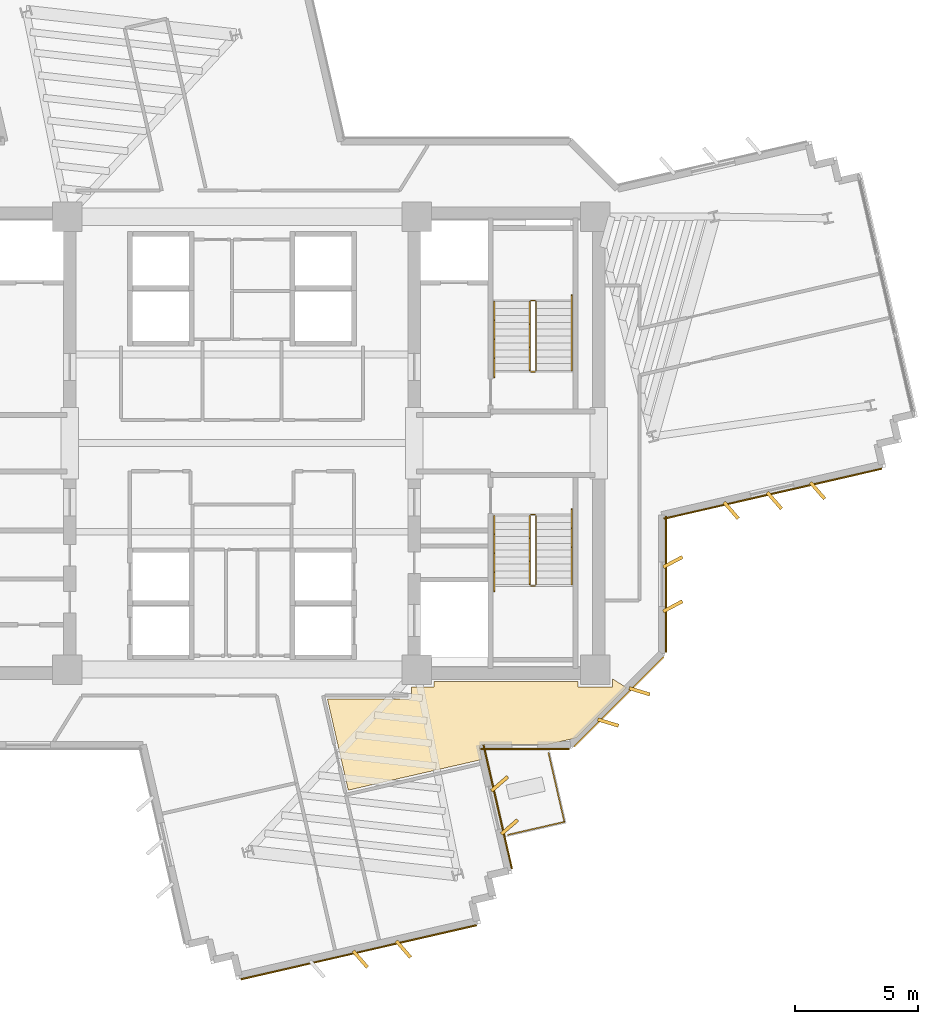
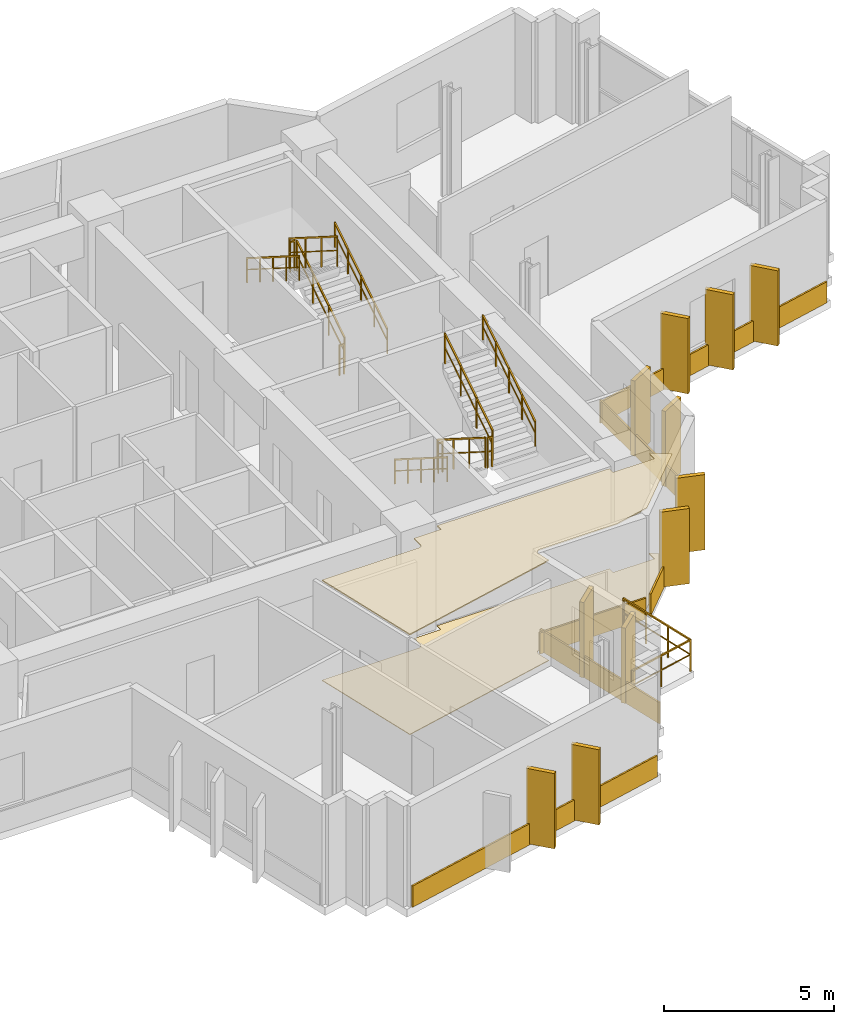
# One storey, part 12 of 13: 19 coverings, 14 railings.
"""IFC4 building model written with IfcOpenShell, lengths in metres."""

from ifc_helpers import new_model, si_unit, direction, frame, origin, origin_2d, place, context, subcontext, project, spatial, polyline, rectangle, outline, extrude, source, transform, mapped, material, layer, layer_set, type_object, element, save


model = new_model("IFC4")

# Units and contexts
model_context = context("Model", 3, precision=1e-05, world=origin(), true_north=direction((0.0, 1.0)))
body_context = subcontext(model_context, "Body", "Model", "MODEL_VIEW")
ifc_project = project(units=[si_unit("LENGTHUNIT", "METRE"), si_unit("AREAUNIT", "SQUARE_METRE"), si_unit("VOLUMEUNIT", "CUBIC_METRE"), si_unit("PLANEANGLEUNIT", "RADIAN"), si_unit("MASSUNIT", "GRAM", prefix="KILO")], contexts=[model_context])

# Site, building, storey
site_placement = place(None, origin())
site = spatial("IfcSite", under=ifc_project, at=site_placement, CompositionType="ELEMENT")
building_placement = place(site_placement, origin())
building = spatial("IfcBuilding", under=site, at=building_placement, Name="Zahravan Cultural Tower", CompositionType="ELEMENT")
storey_placement = place(building_placement, frame((0.0, 0.0, 178.5)))
storey = spatial("IfcBuildingStorey", under=building, at=storey_placement, Name="L41", CompositionType="ELEMENT", Elevation=178.5)

# Coverings
ifc_material_1 = material(Name="Acoustic mineral fibreboard")
ifc_layer_1 = layer(ifc_material_1, 0.0400390625)
ifc_layer_set_1 = layer_set([ifc_layer_1], Name="Acoustic mineral fibreboard")
covering_type_1 = type_object("IfcCoveringType", Name="COV-CEIL-AC20", PredefinedType="CEILING", material=ifc_layer_set_1)
covering_1_placement = place(storey_placement, frame((0.0, 0.0, 3.580078125)))
element("IfcCovering", 1, at=covering_1_placement, inside=storey, type_object=covering_type_1, Name="L41 Acoustic Suspended Ceiling", PredefinedType="CEILING", context=body_context, shape_type="SweptSolid", body=[
    extrude(outline(polyline([(45.760986328125, 14.147216796875), (45.6611328125, 14.583984375), (45.66552734375, 14.643798828125), (45.69384765625, 14.69873046875), (45.73193359375, 14.734375), (45.7890625, 14.75830078125), (48.432861328125, 14.760009765625), (49.601806640625, 15.028076171875), (51.634033203125, 17.060302734375), (51.050048828125, 17.43017578125), (51.050048828125, 17.10009765625), (49.64990234375, 17.10009765625), (49.64990234375, 17.320068359375), (43.800048828125, 17.320068359375), (43.800048828125, 17.10009765625), (42.889892578125, 17.10009765625), (42.8896484375, 16.716064453125), (42.853515625, 16.639404296875), (42.78173828125, 16.601318359375), (39.47314453125, 16.60009765625), (40.322265625, 12.8994140625), (45.760986328125, 14.147216796875)])), origin(), (0.0, 0.0, 1.0), 0.0400390625),
])
ifc_material_2 = material(Name="Terrazzo flooring")
ifc_layer_2 = layer(ifc_material_2, 0.02490234375)
ifc_layer_set_2 = layer_set([ifc_layer_2], Name="Terrazzo flooring")
covering_type_2 = type_object("IfcCoveringType", Name="COV-FLR-TZ25", PredefinedType="FLOORING", material=ifc_layer_set_2)
covering_2_placement = place(storey_placement, origin())
element("IfcCovering", 2, at=covering_2_placement, inside=storey, type_object=covering_type_2, Name="L41 Polished Terrazzo Flooring", PredefinedType="FLOORING", context=body_context, shape_type="SweptSolid", body=[
    extrude(outline(polyline([(45.760986328125, 14.147216796875), (45.6611328125, 14.583984375), (45.66552734375, 14.643798828125), (45.69384765625, 14.69873046875), (45.73193359375, 14.734375), (45.7890625, 14.75830078125), (48.432861328125, 14.760009765625), (49.601806640625, 15.028076171875), (51.634033203125, 17.060302734375), (51.050048828125, 17.43017578125), (51.050048828125, 17.10009765625), (49.64990234375, 17.10009765625), (49.64990234375, 17.320068359375), (43.800048828125, 17.320068359375), (43.800048828125, 17.10009765625), (42.889892578125, 17.10009765625), (42.8896484375, 16.716064453125), (42.853515625, 16.639404296875), (42.78173828125, 16.601318359375), (39.47314453125, 16.60009765625), (40.322265625, 12.8994140625), (45.760986328125, 14.147216796875)])), origin(), (0.0, 0.0, 1.0), 0.02490234375),
])

# Railings
ifc_material_3 = material(Name="Steel ASTM A572 Grade 50", Category="steel")
railing_type_1 = type_object("IfcRailingType", Name="RL-BAL-1150", PredefinedType="BALUSTRADE", material=ifc_material_3)
railing_1_placement = place(storey_placement, frame((49.102783203125, 11.610107421875, 0.0)))
element("IfcRailing", 3, at=railing_1_placement, inside=storey, type_object=railing_type_1, Name="L41 Edge Balustrade GRD-TR-L41-SE-01", PredefinedType="BALUSTRADE", context=body_context, shape_type="SweptSolid", body=[
    extrude(rectangle(XDim=0.05, YDim=0.05, at=origin_2d()), frame((0.0, 0.0, 1.125), z_axis=(-0.974688001885, -0.223569450017, 0.0), x_axis=(0.223569450017, -0.974688001885, 0.0)), (0.0, 0.0, 1.0), 2.35009765625),
    extrude(rectangle(XDim=0.032, YDim=0.032, at=origin_2d()), frame((0.0, 0.0, 0.597900390625), z_axis=(-0.974688001885, -0.223569450017, 0.0), x_axis=(0.223569450017, -0.974688001885, 0.0)), (0.0, 0.0, 1.0), 2.35009765625),
    extrude(rectangle(XDim=0.04, YDim=0.04, at=origin_2d()), origin(), (0.0, 0.0, 1.0), 1.14990234375),
    extrude(rectangle(XDim=0.04, YDim=0.04, at=origin_2d()), frame((-1.145263671875, -0.2626953125, 0.0)), (0.0, 0.0, 1.0), 1.14990234375),
    extrude(rectangle(XDim=0.04, YDim=0.04, at=origin_2d()), frame((-2.29052734375, -0.525390625, 0.0)), (0.0, 0.0, 1.0), 1.14990234375),
])
railing_2_placement = place(storey_placement, frame((48.4580078125, 14.419921875, 0.0)))
element("IfcRailing", 4, at=railing_2_placement, inside=storey, type_object=railing_type_1, Name="L41 Edge Balustrade GRD-TR-L41-SE-02", PredefinedType="BALUSTRADE", context=body_context, shape_type="SweptSolid", body=[
    extrude(rectangle(XDim=0.05, YDim=0.05, at=origin_2d()), frame((0.0, 0.0, 1.125), z_axis=(0.223659439364, -0.97466735617, 0.0), x_axis=(0.97466735617, 0.223659439364, 0.0)), (0.0, 0.0, 1.0), 2.8828125),
    extrude(rectangle(XDim=0.032, YDim=0.032, at=origin_2d()), frame((0.0, 0.0, 0.597900390625), z_axis=(0.223659439364, -0.97466735617, 0.0), x_axis=(0.97466735617, 0.223659439364, 0.0)), (0.0, 0.0, 1.0), 2.8828125),
    extrude(rectangle(XDim=0.04, YDim=0.04, at=origin_2d()), origin(), (0.0, 0.0, 1.0), 1.14990234375),
    extrude(rectangle(XDim=0.04, YDim=0.04, at=origin_2d()), frame((0.21484375, -0.9365234375, 0.0)), (0.0, 0.0, 1.0), 1.14990234375),
    extrude(rectangle(XDim=0.04, YDim=0.04, at=origin_2d()), frame((0.429931640625, -1.873291015625, 0.0)), (0.0, 0.0, 1.0), 1.14990234375),
    extrude(rectangle(XDim=0.04, YDim=0.04, at=origin_2d()), frame((0.644775390625, -2.809814453125, 0.0)), (0.0, 0.0, 1.0), 1.14990234375),
])
railing_type_2 = type_object("IfcRailingType", Name="RL-STAIR-GRD1150", PredefinedType="BALUSTRADE", material=ifc_material_3)
railing_3_placement = place(storey_placement, frame((47.949951171875, 29.949951171875, 0.17724609375)))
element("IfcRailing", 5, at=railing_3_placement, inside=storey, type_object=railing_type_2, Name="L41 ST-E1 stair guard 1", PredefinedType="BALUSTRADE", context=body_context, shape_type="SweptSolid", body=[
    extrude(rectangle(XDim=0.05, YDim=0.05, at=origin_2d()), frame((0.0, 0.0, 1.0751953125), z_axis=(0.0, 0.844908973607, 0.534910110503), x_axis=(-1.0, 0.0, 0.0)), (0.0, 0.0, 1.0), 3.31396484375),
    extrude(rectangle(XDim=0.032, YDim=0.032, at=origin_2d()), frame((0.0, 0.0, 0.572021484375), z_axis=(0.0, 0.844908973607, 0.534910110503), x_axis=(-1.0, 0.0, 0.0)), (0.0, 0.0, 1.0), 3.31396484375),
    extrude(rectangle(XDim=0.04, YDim=0.04, at=origin_2d()), origin(), (0.0, 0.0, 1.0), 1.10009765625),
    extrude(rectangle(XDim=0.04, YDim=0.04, at=origin_2d()), frame((0.0, 0.933349609375, 0.5908203125)), (0.0, 0.0, 1.0), 1.10009765625),
    extrude(rectangle(XDim=0.04, YDim=0.04, at=origin_2d()), frame((0.0, 1.86669921875, 1.181884765625)), (0.0, 0.0, 1.0), 1.10009765625),
    extrude(rectangle(XDim=0.04, YDim=0.04, at=origin_2d()), frame((0.0, 2.800048828125, 1.772705078125)), (0.0, 0.0, 1.0), 1.10009765625),
])
railing_4_placement = place(storey_placement, frame((47.89990234375, 32.800048828125, 1.949951171875)))
element("IfcRailing", 6, at=railing_4_placement, inside=storey, type_object=railing_type_2, Name="L41 ST-E1 stair guard 2", PredefinedType="BALUSTRADE", context=body_context, shape_type="SweptSolid", body=[
    extrude(rectangle(XDim=0.05, YDim=0.05, at=origin_2d()), frame((0.0, 0.0, 1.0751953125), z_axis=(-1.0, 0.0, 0.0), x_axis=(0.0, -1.0, 0.0)), (0.0, 0.0, 1.0), 0.14990234375),
    extrude(rectangle(XDim=0.032, YDim=0.032, at=origin_2d()), frame((0.0, 0.0, 0.572021484375), z_axis=(-1.0, 0.0, 0.0), x_axis=(0.0, -1.0, 0.0)), (0.0, 0.0, 1.0), 0.14990234375),
    extrude(rectangle(XDim=0.04, YDim=0.04, at=origin_2d()), origin(), (0.0, 0.0, 1.0), 1.10009765625),
    extrude(rectangle(XDim=0.04, YDim=0.04, at=origin_2d()), frame((-0.14990234375, 0.0, 0.0)), (0.0, 0.0, 1.0), 1.10009765625),
])
railing_5_placement = place(storey_placement, frame((47.699951171875, 32.75, 2.127197265625)))
element("IfcRailing", 7, at=railing_5_placement, inside=storey, type_object=railing_type_2, Name="L41 ST-E1 stair guard 3", PredefinedType="BALUSTRADE", context=body_context, shape_type="SweptSolid", body=[
    extrude(rectangle(XDim=0.05, YDim=0.05, at=origin_2d()), frame((0.0, 0.0, 1.0751953125), z_axis=(0.0, -0.844908973607, 0.534910110503), x_axis=(1.0, 0.0, 0.0)), (0.0, 0.0, 1.0), 3.31396484375),
    extrude(rectangle(XDim=0.032, YDim=0.032, at=origin_2d()), frame((0.0, 0.0, 0.572021484375), z_axis=(0.0, -0.844908973607, 0.534910110503), x_axis=(1.0, 0.0, 0.0)), (0.0, 0.0, 1.0), 3.31396484375),
    extrude(rectangle(XDim=0.04, YDim=0.04, at=origin_2d()), origin(), (0.0, 0.0, 1.0), 1.10009765625),
    extrude(rectangle(XDim=0.04, YDim=0.04, at=origin_2d()), frame((0.0, -0.933349609375, 0.5908203125)), (0.0, 0.0, 1.0), 1.10009765625),
    extrude(rectangle(XDim=0.04, YDim=0.04, at=origin_2d()), frame((0.0, -1.86669921875, 1.181884765625)), (0.0, 0.0, 1.0), 1.10009765625),
    extrude(rectangle(XDim=0.04, YDim=0.04, at=origin_2d()), frame((0.0, -2.800048828125, 1.772705078125)), (0.0, 0.0, 1.0), 1.10009765625),
])
railing_6_placement = place(storey_placement, frame((47.89990234375, 29.89990234375, 0.0)))
element("IfcRailing", 8, at=railing_6_placement, inside=storey, type_object=railing_type_2, Name="L41 ST-E1 stair guard 4", PredefinedType="BALUSTRADE", context=body_context, shape_type="SweptSolid", body=[
    extrude(rectangle(XDim=0.05, YDim=0.05, at=origin_2d()), frame((0.0, 0.0, 1.0751953125), z_axis=(-1.0, 0.0, 0.0), x_axis=(0.0, -1.0, 0.0)), (0.0, 0.0, 1.0), 0.14990234375),
    extrude(rectangle(XDim=0.032, YDim=0.032, at=origin_2d()), frame((0.0, 0.0, 0.572021484375), z_axis=(-1.0, 0.0, 0.0), x_axis=(0.0, -1.0, 0.0)), (0.0, 0.0, 1.0), 0.14990234375),
    extrude(rectangle(XDim=0.04, YDim=0.04, at=origin_2d()), origin(), (0.0, 0.0, 1.0), 1.10009765625),
    extrude(rectangle(XDim=0.04, YDim=0.04, at=origin_2d()), frame((-0.14990234375, 0.0, 0.0)), (0.0, 0.0, 1.0), 1.10009765625),
])
railing_7_placement = place(storey_placement, frame((47.699951171875, 24.050048828125, 0.17724609375)))
element("IfcRailing", 9, at=railing_7_placement, inside=storey, type_object=railing_type_2, Name="L41 ST-E2 stair guard 1", PredefinedType="BALUSTRADE", context=body_context, shape_type="SweptSolid", body=[
    extrude(rectangle(XDim=0.05, YDim=0.05, at=origin_2d()), frame((0.0, 0.0, 1.0751953125), z_axis=(0.0, -0.844908973607, 0.534910110503), x_axis=(1.0, 0.0, 0.0)), (0.0, 0.0, 1.0), 3.31396484375),
    extrude(rectangle(XDim=0.032, YDim=0.032, at=origin_2d()), frame((0.0, 0.0, 0.572021484375), z_axis=(0.0, -0.844908973607, 0.534910110503), x_axis=(1.0, 0.0, 0.0)), (0.0, 0.0, 1.0), 3.31396484375),
    extrude(rectangle(XDim=0.04, YDim=0.04, at=origin_2d()), origin(), (0.0, 0.0, 1.0), 1.10009765625),
    extrude(rectangle(XDim=0.04, YDim=0.04, at=origin_2d()), frame((0.0, -0.933349609375, 0.5908203125)), (0.0, 0.0, 1.0), 1.10009765625),
    extrude(rectangle(XDim=0.04, YDim=0.04, at=origin_2d()), frame((0.0, -1.86669921875, 1.181884765625)), (0.0, 0.0, 1.0), 1.10009765625),
    extrude(rectangle(XDim=0.04, YDim=0.04, at=origin_2d()), frame((0.0, -2.800048828125, 1.772705078125)), (0.0, 0.0, 1.0), 1.10009765625),
])
railing_8_placement = place(storey_placement, frame((47.75, 21.199951171875, 1.949951171875)))
element("IfcRailing", 10, at=railing_8_placement, inside=storey, type_object=railing_type_2, Name="L41 ST-E2 stair guard 2", PredefinedType="BALUSTRADE", context=body_context, shape_type="SweptSolid", body=[
    extrude(rectangle(XDim=0.05, YDim=0.05, at=origin_2d()), frame((0.0, 0.0, 1.0751953125), z_axis=(1.0, 0.0, 0.0), x_axis=(0.0, 1.0, 0.0)), (0.0, 0.0, 1.0), 0.14990234375),
    extrude(rectangle(XDim=0.032, YDim=0.032, at=origin_2d()), frame((0.0, 0.0, 0.572021484375), z_axis=(1.0, 0.0, 0.0), x_axis=(0.0, 1.0, 0.0)), (0.0, 0.0, 1.0), 0.14990234375),
    extrude(rectangle(XDim=0.04, YDim=0.04, at=origin_2d()), origin(), (0.0, 0.0, 1.0), 1.10009765625),
    extrude(rectangle(XDim=0.04, YDim=0.04, at=origin_2d()), frame((0.14990234375, 0.0, 0.0)), (0.0, 0.0, 1.0), 1.10009765625),
])
railing_9_placement = place(storey_placement, frame((47.949951171875, 21.25, 2.127197265625)))
element("IfcRailing", 11, at=railing_9_placement, inside=storey, type_object=railing_type_2, Name="L41 ST-E2 stair guard 3", PredefinedType="BALUSTRADE", context=body_context, shape_type="SweptSolid", body=[
    extrude(rectangle(XDim=0.05, YDim=0.05, at=origin_2d()), frame((0.0, 0.0, 1.0751953125), z_axis=(0.0, 0.844908973607, 0.534910110503), x_axis=(-1.0, 0.0, 0.0)), (0.0, 0.0, 1.0), 3.31396484375),
    extrude(rectangle(XDim=0.032, YDim=0.032, at=origin_2d()), frame((0.0, 0.0, 0.572021484375), z_axis=(0.0, 0.844908973607, 0.534910110503), x_axis=(-1.0, 0.0, 0.0)), (0.0, 0.0, 1.0), 3.31396484375),
    extrude(rectangle(XDim=0.04, YDim=0.04, at=origin_2d()), origin(), (0.0, 0.0, 1.0), 1.10009765625),
    extrude(rectangle(XDim=0.04, YDim=0.04, at=origin_2d()), frame((0.0, 0.933349609375, 0.5908203125)), (0.0, 0.0, 1.0), 1.10009765625),
    extrude(rectangle(XDim=0.04, YDim=0.04, at=origin_2d()), frame((0.0, 1.86669921875, 1.181884765625)), (0.0, 0.0, 1.0), 1.10009765625),
    extrude(rectangle(XDim=0.04, YDim=0.04, at=origin_2d()), frame((0.0, 2.800048828125, 1.772705078125)), (0.0, 0.0, 1.0), 1.10009765625),
])
railing_10_placement = place(storey_placement, frame((47.75, 24.10009765625, 0.0)))
element("IfcRailing", 12, at=railing_10_placement, inside=storey, type_object=railing_type_2, Name="L41 ST-E2 stair guard 4", PredefinedType="BALUSTRADE", context=body_context, shape_type="SweptSolid", body=[
    extrude(rectangle(XDim=0.05, YDim=0.05, at=origin_2d()), frame((0.0, 0.0, 1.0751953125), z_axis=(1.0, 0.0, 0.0), x_axis=(0.0, 1.0, 0.0)), (0.0, 0.0, 1.0), 0.14990234375),
    extrude(rectangle(XDim=0.032, YDim=0.032, at=origin_2d()), frame((0.0, 0.0, 0.572021484375), z_axis=(1.0, 0.0, 0.0), x_axis=(0.0, 1.0, 0.0)), (0.0, 0.0, 1.0), 0.14990234375),
    extrude(rectangle(XDim=0.04, YDim=0.04, at=origin_2d()), origin(), (0.0, 0.0, 1.0), 1.10009765625),
    extrude(rectangle(XDim=0.04, YDim=0.04, at=origin_2d()), frame((0.14990234375, 0.0, 0.0)), (0.0, 0.0, 1.0), 1.10009765625),
])
railing_type_3 = type_object("IfcRailingType", Name="RL-STAIR-HR900", PredefinedType="HANDRAIL", material=ifc_material_3)
railing_11_placement = place(storey_placement, frame((49.39990234375, 29.949951171875, 0.17724609375)))
element("IfcRailing", 13, at=railing_11_placement, inside=storey, type_object=railing_type_3, Name="L41 ST-E1 stair handrail 1", PredefinedType="HANDRAIL", context=body_context, shape_type="SweptSolid", body=[
    extrude(rectangle(XDim=0.05, YDim=0.05, at=origin_2d()), frame((0.0, 0.0, 0.875), z_axis=(0.0, 0.844913916606, 0.534902302785), x_axis=(-1.0, 0.0, 0.0)), (0.0, 0.0, 1.0), 3.6455078125),
    extrude(rectangle(XDim=0.032, YDim=0.032, at=origin_2d()), frame((0.0, 0.0, 0.468017578125), z_axis=(0.0, 0.844913916606, 0.534902302785), x_axis=(-1.0, 0.0, 0.0)), (0.0, 0.0, 1.0), 3.6455078125),
    extrude(rectangle(XDim=0.04, YDim=0.04, at=origin_2d()), origin(), (0.0, 0.0, 1.0), 0.89990234375),
    extrude(rectangle(XDim=0.04, YDim=0.04, at=origin_2d()), frame((0.0, 0.77001953125, 0.487548828125)), (0.0, 0.0, 1.0), 0.89990234375),
    extrude(rectangle(XDim=0.04, YDim=0.04, at=origin_2d()), frame((0.0, 1.5400390625, 0.97509765625)), (0.0, 0.0, 1.0), 0.89990234375),
    extrude(rectangle(XDim=0.04, YDim=0.04, at=origin_2d()), frame((0.0, 2.31005859375, 1.46240234375)), (0.0, 0.0, 1.0), 0.89990234375),
    extrude(rectangle(XDim=0.04, YDim=0.04, at=origin_2d()), frame((0.0, 3.080078125, 1.949951171875)), (0.0, 0.0, 1.0), 0.89990234375),
])
railing_12_placement = place(storey_placement, frame((46.25, 32.75, 2.127197265625)))
element("IfcRailing", 14, at=railing_12_placement, inside=storey, type_object=railing_type_3, Name="L41 ST-E1 stair handrail 2", PredefinedType="HANDRAIL", context=body_context, shape_type="SweptSolid", body=[
    extrude(rectangle(XDim=0.05, YDim=0.05, at=origin_2d()), frame((0.0, 0.0, 0.875), z_axis=(0.0, -0.844883648757, 0.534950109882), x_axis=(1.0, 0.0, 0.0)), (0.0, 0.0, 1.0), 3.6455078125),
    extrude(rectangle(XDim=0.032, YDim=0.032, at=origin_2d()), frame((0.0, 0.0, 0.468017578125), z_axis=(0.0, -0.844883648757, 0.534950109882), x_axis=(1.0, 0.0, 0.0)), (0.0, 0.0, 1.0), 3.6455078125),
    extrude(rectangle(XDim=0.04, YDim=0.04, at=origin_2d()), origin(), (0.0, 0.0, 1.0), 0.89990234375),
    extrude(rectangle(XDim=0.04, YDim=0.04, at=origin_2d()), frame((0.0, -0.77001953125, 0.487548828125)), (0.0, 0.0, 1.0), 0.89990234375),
    extrude(rectangle(XDim=0.04, YDim=0.04, at=origin_2d()), frame((0.0, -1.5400390625, 0.97509765625)), (0.0, 0.0, 1.0), 0.89990234375),
    extrude(rectangle(XDim=0.04, YDim=0.04, at=origin_2d()), frame((0.0, -2.31005859375, 1.462646484375)), (0.0, 0.0, 1.0), 0.89990234375),
    extrude(rectangle(XDim=0.04, YDim=0.04, at=origin_2d()), frame((0.0, -3.080078125, 1.9501953125)), (0.0, 0.0, 1.0), 0.89990234375),
])
railing_13_placement = place(storey_placement, frame((46.25, 24.050048828125, 0.17724609375)))
element("IfcRailing", 15, at=railing_13_placement, inside=storey, type_object=railing_type_3, Name="L41 ST-E2 stair handrail 1", PredefinedType="HANDRAIL", context=body_context, shape_type="SweptSolid", body=[
    extrude(rectangle(XDim=0.05, YDim=0.05, at=origin_2d()), frame((0.0, 0.0, 0.875), z_axis=(0.0, -0.844913916606, 0.534902302785), x_axis=(1.0, 0.0, 0.0)), (0.0, 0.0, 1.0), 3.6455078125),
    extrude(rectangle(XDim=0.032, YDim=0.032, at=origin_2d()), frame((0.0, 0.0, 0.468017578125), z_axis=(0.0, -0.844913916606, 0.534902302785), x_axis=(1.0, 0.0, 0.0)), (0.0, 0.0, 1.0), 3.6455078125),
    extrude(rectangle(XDim=0.04, YDim=0.04, at=origin_2d()), origin(), (0.0, 0.0, 1.0), 0.89990234375),
    extrude(rectangle(XDim=0.04, YDim=0.04, at=origin_2d()), frame((0.0, -0.77001953125, 0.487548828125)), (0.0, 0.0, 1.0), 0.89990234375),
    extrude(rectangle(XDim=0.04, YDim=0.04, at=origin_2d()), frame((0.0, -1.5400390625, 0.97509765625)), (0.0, 0.0, 1.0), 0.89990234375),
    extrude(rectangle(XDim=0.04, YDim=0.04, at=origin_2d()), frame((0.0, -2.31005859375, 1.46240234375)), (0.0, 0.0, 1.0), 0.89990234375),
    extrude(rectangle(XDim=0.04, YDim=0.04, at=origin_2d()), frame((0.0, -3.080078125, 1.949951171875)), (0.0, 0.0, 1.0), 0.89990234375),
])
railing_14_placement = place(storey_placement, frame((49.39990234375, 21.25, 2.127197265625)))
element("IfcRailing", 16, at=railing_14_placement, inside=storey, type_object=railing_type_3, Name="L41 ST-E2 stair handrail 2", PredefinedType="HANDRAIL", context=body_context, shape_type="SweptSolid", body=[
    extrude(rectangle(XDim=0.05, YDim=0.05, at=origin_2d()), frame((0.0, 0.0, 0.875), z_axis=(0.0, 0.844883648757, 0.534950109882), x_axis=(-1.0, 0.0, 0.0)), (0.0, 0.0, 1.0), 3.6455078125),
    extrude(rectangle(XDim=0.032, YDim=0.032, at=origin_2d()), frame((0.0, 0.0, 0.468017578125), z_axis=(0.0, 0.844883648757, 0.534950109882), x_axis=(-1.0, 0.0, 0.0)), (0.0, 0.0, 1.0), 3.6455078125),
    extrude(rectangle(XDim=0.04, YDim=0.04, at=origin_2d()), origin(), (0.0, 0.0, 1.0), 0.89990234375),
    extrude(rectangle(XDim=0.04, YDim=0.04, at=origin_2d()), frame((0.0, 0.77001953125, 0.487548828125)), (0.0, 0.0, 1.0), 0.89990234375),
    extrude(rectangle(XDim=0.04, YDim=0.04, at=origin_2d()), frame((0.0, 1.5400390625, 0.97509765625)), (0.0, 0.0, 1.0), 0.89990234375),
    extrude(rectangle(XDim=0.04, YDim=0.04, at=origin_2d()), frame((0.0, 2.31005859375, 1.462646484375)), (0.0, 0.0, 1.0), 0.89990234375),
    extrude(rectangle(XDim=0.04, YDim=0.04, at=origin_2d()), frame((0.0, 3.080078125, 1.9501953125)), (0.0, 0.0, 1.0), 0.89990234375),
])

# Coverings
ifc_material_4 = material(Name="Terracotta ceramic cladding", Category="masonry")
ifc_layer_3 = layer(ifc_material_4, 0.06005859375)
ifc_layer_set_3 = layer_set([ifc_layer_3], Name="Terracotta ceramic cladding")
covering_type_3 = type_object("IfcCoveringType", Name="COV-CLAD-TC60", PredefinedType="CLADDING", material=ifc_layer_set_3)
shared_shape_1 = source(origin(), body_context, "Body", "SweptSolid", [
    extrude(rectangle(XDim=5.157958984375, YDim=0.06005859375, at=origin_2d()), origin(), (0.0, 0.0, 1.0), 0.760009765625),
])
covering_3_placement = place(storey_placement, frame((51.317626953125, 16.482421875, 0.02001953125), z_axis=(0.0, 0.0, 1.0), x_axis=(-0.707106781187, -0.707106781187, 0.0)))
element("IfcCovering", 17, at=covering_3_placement, inside=storey, type_object=covering_type_3, Name="L41 Terracotta Spandrel Cladding 12", PredefinedType="CLADDING", context=body_context, shape_type="MappedRepresentation", body=[
    mapped(shared_shape_1, transform((0.0, 0.0, 0.0), x_axis=(1.0, 0.0, 0.0), y_axis=(0.0, 1.0, 0.0), z_axis=(0.0, 0.0, 1.0), scale=1.0)),
])
shared_shape_2 = source(origin(), body_context, "Body", "SweptSolid", [
    extrude(rectangle(XDim=0.8798828125, YDim=0.139892578125, at=origin_2d()), origin(), (0.0, 0.0, 1.0), 2.699951171875),
])
for number, where, z_axis, x_axis, name in (
    (18, (59.39111328125, 25.0712890625, 0.0498046875), (0.0, 0.0, 1.0), (0.655017804499, -0.755613443362, 0.0), "L41 Herringbone Terracotta Fin 04"),
    (19, (57.63671875, 24.668701171875, 0.0498046875), (0.0, 0.0, 1.0), (0.655017804499, -0.755613443362, 0.0), "L41 Herringbone Terracotta Fin 05"),
    (20, (55.882080078125, 24.266357421875, 0.0498046875), (0.0, 0.0, 1.0), (0.655017804499, -0.755613443362, 0.0), "L41 Herringbone Terracotta Fin 06"),
    (21, (53.510009765625, 22.169189453125, 0.0498046875), (0.0, 0.0, 1.0), (0.882947592859, 0.469471562786, 0.0), "L41 Herringbone Terracotta Fin 07"),
    (22, (53.510009765625, 20.369384765625, 0.0498046875), (0.0, 0.0, 1.0), (0.882947592859, 0.469471562786, 0.0), "L41 Herringbone Terracotta Fin 08"),
    (23, (52.155517578125, 16.917236328125, 0.0498046875), (0.0, 0.0, 1.0), (0.956304755963, -0.292371704723, 0.0), "L41 Herringbone Terracotta Fin 09"),
    (24, (50.8828125, 15.644287109375, 0.0498046875), (0.0, 0.0, 1.0), (0.956304755963, -0.292371704723, 0.0), "L41 Herringbone Terracotta Fin 10"),
    (25, (46.47021484375, 13.157470703125, 0.0498046875), (0.0, 0.0, 1.0), (0.755624875464, 0.655004616457, 0.0), "L41 Herringbone Terracotta Fin 11"),
    (26, (46.87255859375, 11.403076171875, 0.0498046875), (0.0, 0.0, 1.0), (0.755624875464, 0.655004616457, 0.0), "L41 Herringbone Terracotta Fin 12"),
    (27, (42.563720703125, 6.43701171875, 0.0498046875), (0.0, 0.0, 1.0), (0.655004616457, -0.755624875464, 0.0), "L41 Herringbone Terracotta Fin 13"),
    (28, (40.809326171875, 6.03466796875, 0.0498046875), (0.0, 0.0, 1.0), (0.655004616457, -0.755624875464, 0.0), "L41 Herringbone Terracotta Fin 14"),
):
    element("IfcCovering", number, at=place(storey_placement, frame(where, z_axis=z_axis, x_axis=x_axis)), inside=storey, type_object=covering_type_3, Name=name, PredefinedType="CLADDING", context=body_context, shape_type="MappedRepresentation", body=[
        mapped(shared_shape_2, transform((0.0, 0.0, 0.0), x_axis=(1.0, 0.0, 0.0), y_axis=(0.0, 1.0, 0.0), z_axis=(0.0, 0.0, 1.0), scale=1.0)),
    ])
shared_shape_3 = source(origin(), body_context, "Body", "SweptSolid", [
    extrude(rectangle(XDim=9.084716796875, YDim=0.06005859375, at=origin_2d()), origin(), (0.0, 0.0, 1.0), 0.760009765625),
])
covering_4_placement = place(storey_placement, frame((57.572998046875, 24.946533203125, 0.02001953125), z_axis=(0.0, 0.0, 1.0), x_axis=(-0.974679303279, -0.223607369645, 0.0)))
element("IfcCovering", 29, at=covering_4_placement, inside=storey, type_object=covering_type_3, Name="L41 Terracotta Spandrel Cladding 10", PredefinedType="CLADDING", context=body_context, shape_type="MappedRepresentation", body=[
    mapped(shared_shape_3, transform((0.0, 0.0, 0.0), x_axis=(1.0, 0.0, 0.0), y_axis=(0.0, 1.0, 0.0), z_axis=(0.0, 0.0, 1.0), scale=1.0)),
])
shared_shape_4 = source(origin(), body_context, "Body", "SweptSolid", [
    extrude(rectangle(XDim=5.5224609375, YDim=0.06005859375, at=origin_2d()), origin(), (0.0, 0.0, 1.0), 0.760009765625),
])
covering_5_placement = place(storey_placement, frame((53.22509765625, 21.269287109375, 0.02001953125), z_axis=(0.0, 0.0, 1.0), x_axis=(0.0, -1.0, 0.0)))
element("IfcCovering", 30, at=covering_5_placement, inside=storey, type_object=covering_type_3, Name="L41 Terracotta Spandrel Cladding 11", PredefinedType="CLADDING", context=body_context, shape_type="MappedRepresentation", body=[
    mapped(shared_shape_4, transform((0.0, 0.0, 0.0), x_axis=(1.0, 0.0, 0.0), y_axis=(0.0, 1.0, 0.0), z_axis=(0.0, 0.0, 1.0), scale=1.0)),
])
shared_shape_5 = source(origin(), body_context, "Body", "SweptSolid", [
    extrude(rectangle(XDim=3.5966796875, YDim=0.06005859375, at=origin_2d()), origin(), (0.0, 0.0, 1.0), 0.760009765625),
])
covering_6_placement = place(storey_placement, frame((47.49365234375, 14.574951171875, 0.02001953125), z_axis=(0.0, 0.0, 1.0), x_axis=(-1.0, 0.0, 0.0)))
element("IfcCovering", 31, at=covering_6_placement, inside=storey, type_object=covering_type_3, Name="L41 Terracotta Spandrel Cladding 13", PredefinedType="CLADDING", context=body_context, shape_type="MappedRepresentation", body=[
    mapped(shared_shape_5, transform((0.0, 0.0, 0.0), x_axis=(1.0, 0.0, 0.0), y_axis=(0.0, 1.0, 0.0), z_axis=(0.0, 0.0, 1.0), scale=1.0)),
])
shared_shape_6 = source(origin(), body_context, "Body", "SweptSolid", [
    extrude(rectangle(XDim=5.15380859375, YDim=0.06005859375, at=origin_2d()), origin(), (0.0, 0.0, 1.0), 0.760009765625),
])
covering_7_placement = place(storey_placement, frame((46.3935546875, 12.216552734375, 0.02001953125), z_axis=(0.0, 0.0, 1.0), x_axis=(0.223590358248, -0.974683205815, 0.0)))
element("IfcCovering", 32, at=covering_7_placement, inside=storey, type_object=covering_type_3, Name="L41 Terracotta Spandrel Cladding 14", PredefinedType="CLADDING", context=body_context, shape_type="MappedRepresentation", body=[
    mapped(shared_shape_6, transform((0.0, 0.0, 0.0), x_axis=(1.0, 0.0, 0.0), y_axis=(0.0, 1.0, 0.0), z_axis=(0.0, 0.0, 1.0), scale=1.0)),
])
shared_shape_7 = source(origin(), body_context, "Body", "SweptSolid", [
    extrude(rectangle(XDim=9.81982421875, YDim=0.06005859375, at=origin_2d()), origin(), (0.0, 0.0, 1.0), 0.760009765625),
])
covering_8_placement = place(storey_placement, frame((40.74560546875, 6.3125, 0.02001953125), z_axis=(0.0, 0.0, 1.0), x_axis=(-0.974683205815, -0.223590358248, 0.0)))
element("IfcCovering", 33, at=covering_8_placement, inside=storey, type_object=covering_type_3, Name="L41 Terracotta Spandrel Cladding 19", PredefinedType="CLADDING", context=body_context, shape_type="MappedRepresentation", body=[
    mapped(shared_shape_7, transform((0.0, 0.0, 0.0), x_axis=(1.0, 0.0, 0.0), y_axis=(0.0, 1.0, 0.0), z_axis=(0.0, 0.0, 1.0), scale=1.0)),
])

save(model, "model.ifc")
